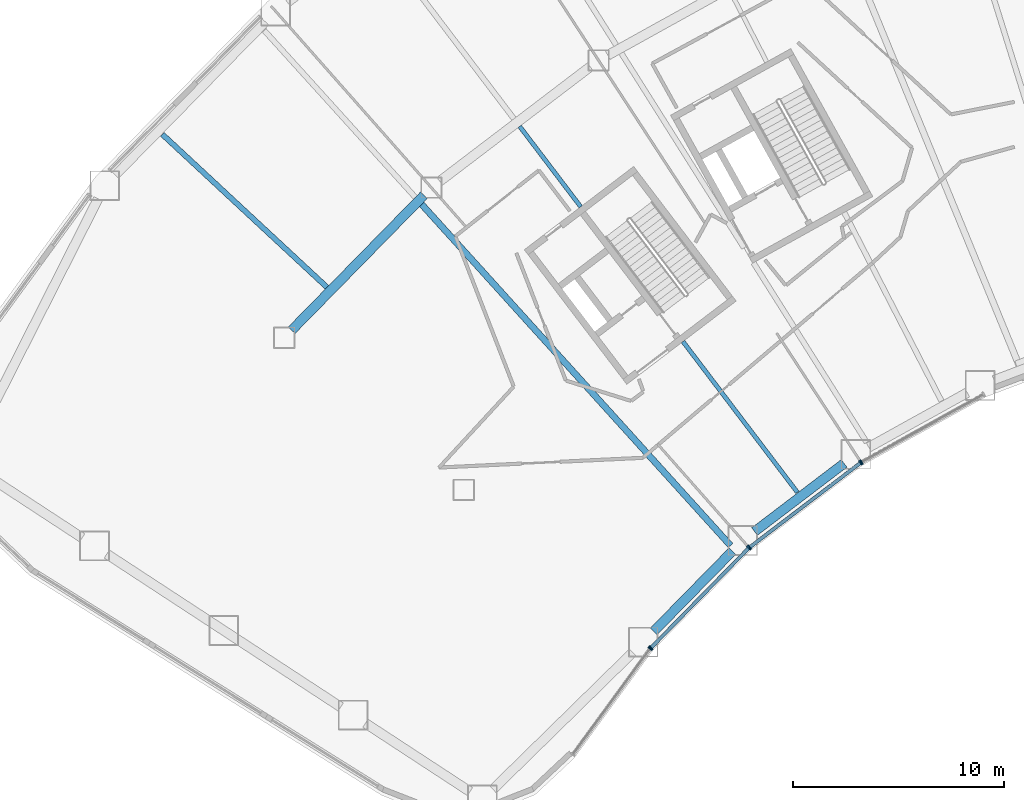
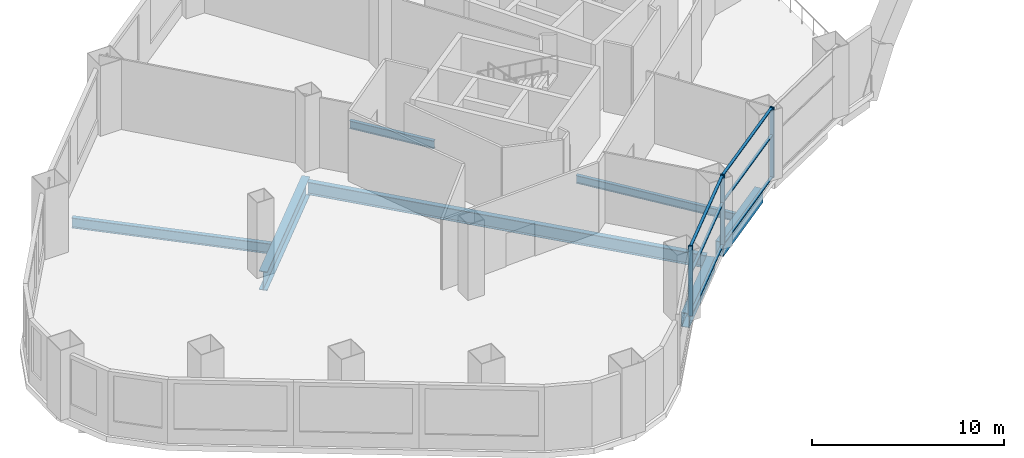
# One storey, part 4 of 20: 12 members, 7 beams, 4 elements without a shape of their own.
"""IFC4 building model written with IfcOpenShell, lengths in metres."""

from ifc_helpers import new_model, si_unit, direction, frame, origin, origin_2d, place, context, subcontext, project, spatial, rectangle, hollow_rectangle, i_section, extrude, material, layer, layer_set, material_profile, profile_set, type_object, element, aggregate, save


model = new_model("IFC4")

# Units and contexts
model_context = context("Model", 3, precision=1e-05, world=origin(), true_north=direction((0.0, 1.0)))
body_context = subcontext(model_context, "Body", "Model", "MODEL_VIEW")
ifc_project = project(units=[si_unit("LENGTHUNIT", "METRE"), si_unit("AREAUNIT", "SQUARE_METRE"), si_unit("VOLUMEUNIT", "CUBIC_METRE"), si_unit("PLANEANGLEUNIT", "RADIAN"), si_unit("MASSUNIT", "GRAM", prefix="KILO")], contexts=[model_context])

# Site, building, storey
site_placement = place(None, origin())
site = spatial("IfcSite", under=ifc_project, at=site_placement, CompositionType="ELEMENT")
building_placement = place(site_placement, origin())
building = spatial("IfcBuilding", under=site, at=building_placement, Name="Tuul Gate Civic Tower", CompositionType="ELEMENT")
storey_placement = place(building_placement, frame((0.0, 0.0, 12.300048828125)))
storey = spatial("IfcBuildingStorey", under=building, at=storey_placement, Name="Level 02", CompositionType="ELEMENT", Elevation=12.300048828125)

# Curtain wall, member
ifc_material_1 = material(Name="Aluminium", Category="aluminium")
ifc_layer = layer(ifc_material_1, 0.199951171875)
ifc_layer_set = layer_set([ifc_layer], Name="Aluminium")
curtain_wall_type = type_object("IfcCurtainWallType", Name="Curtain wall CW6", PredefinedType="NOTDEFINED", material=ifc_layer_set)
curtain_wall_1_placement = place(storey_placement, origin())
curtain_wall_1 = element("IfcCurtainWall", 1, at=curtain_wall_1_placement, inside=storey, type_object=curtain_wall_type, Name="Curtain wall CW6", PredefinedType="NOTDEFINED")
ifc_material_2 = material(Name="Aluminium", Category="aluminium")
ifc_material_profile_1 = material_profile(ifc_material_2, rectangle(XDim=0.239990234375, YDim=0.06005859375, at=origin_2d()), Name="CW6 mullion")
ifc_profile_set_1 = profile_set([ifc_material_profile_1], Name="Aluminium")
member_type_1 = type_object("IfcMemberType", Name="CW6 mullion", PredefinedType="MULLION", material=ifc_profile_set_1)
member_1_placement = place(storey_placement, frame((-35.165771484375, -30.231201171875, 0.0), z_axis=(0.0, 0.0, 1.0), x_axis=(-0.807581267597, 0.589756302404, 0.0)))
member_1 = element("IfcMember", 2, at=member_1_placement, type_object=member_type_1, Name="Mullion", PredefinedType="MULLION", context=body_context, shape_type="SweptSolid", body=[
    extrude(rectangle(XDim=0.239990234375, YDim=0.06005859375, at=origin_2d()), origin(), (0.0, 0.0, 1.0), 4.449951171875),
])
aggregate(curtain_wall_1, [member_1])

# Curtain wall, members
curtain_wall_2_placement = place(storey_placement, origin())
curtain_wall_2 = element("IfcCurtainWall", 3, at=curtain_wall_2_placement, inside=storey, type_object=curtain_wall_type, Name="Curtain wall CW6", PredefinedType="NOTDEFINED")
member_2_placement = place(storey_placement, frame((-35.126953125, -30.185546875, 0.0), z_axis=(0.0, 0.0, 1.0), x_axis=(-0.714131733701, 0.700011333423, 0.0)))
member_2 = element("IfcMember", 4, at=member_2_placement, type_object=member_type_1, Name="Mullion", PredefinedType="MULLION", context=body_context, shape_type="SweptSolid", body=[
    extrude(rectangle(XDim=0.239990234375, YDim=0.06005859375, at=origin_2d()), origin(), (0.0, 0.0, 1.0), 4.449951171875),
])
member_3_placement = place(storey_placement, frame((-30.509033203125, -25.474365234375, 0.0), z_axis=(0.0, 0.0, 1.0), x_axis=(-0.714131733701, 0.700011333423, 0.0)))
member_3 = element("IfcMember", 5, at=member_3_placement, type_object=member_type_1, Name="Mullion", PredefinedType="MULLION", context=body_context, shape_type="SweptSolid", body=[
    extrude(rectangle(XDim=0.239990234375, YDim=0.06005859375, at=origin_2d()), origin(), (0.0, 0.0, 1.0), 4.449951171875),
])

curtain_wall_3_placement = place(storey_placement, origin())
curtain_wall_3 = element("IfcCurtainWall", 6, at=curtain_wall_3_placement, inside=storey, type_object=curtain_wall_type, Name="Curtain wall CW6", PredefinedType="NOTDEFINED")
member_4_placement = place(storey_placement, frame((-30.464111328125, -25.434814453125, 0.0), z_axis=(0.0, 0.0, 1.0), x_axis=(-0.605776174218, 0.795635109048, 0.0)))
member_4 = element("IfcMember", 7, at=member_4_placement, type_object=member_type_1, Name="Mullion", PredefinedType="MULLION", context=body_context, shape_type="SweptSolid", body=[
    extrude(rectangle(XDim=0.239990234375, YDim=0.06005859375, at=origin_2d()), origin(), (0.0, 0.0, 1.0), 4.449951171875),
])
member_5_placement = place(storey_placement, frame((-25.21484375, -21.438232421875, 0.0), z_axis=(0.0, 0.0, 1.0), x_axis=(-0.605776174218, 0.795635109048, 0.0)))
member_5 = element("IfcMember", 8, at=member_5_placement, type_object=member_type_1, Name="Mullion", PredefinedType="MULLION", context=body_context, shape_type="SweptSolid", body=[
    extrude(rectangle(XDim=0.239990234375, YDim=0.06005859375, at=origin_2d()), origin(), (0.0, 0.0, 1.0), 4.449951171875),
])

# Curtain wall, member
curtain_wall_4_placement = place(storey_placement, origin())
curtain_wall_4 = element("IfcCurtainWall", 9, at=curtain_wall_4_placement, inside=storey, type_object=curtain_wall_type, Name="Curtain wall CW6", PredefinedType="NOTDEFINED")
member_6_placement = place(storey_placement, frame((-25.164794921875, -21.405517578125, 0.0), z_axis=(0.0, 0.0, 1.0), x_axis=(-0.484724404523, 0.87466693756, 0.0)))
member_6 = element("IfcMember", 10, at=member_6_placement, type_object=member_type_1, Name="Mullion", PredefinedType="MULLION", context=body_context, shape_type="SweptSolid", body=[
    extrude(rectangle(XDim=0.239990234375, YDim=0.06005859375, at=origin_2d()), origin(), (0.0, 0.0, 1.0), 4.449951171875),
])
aggregate(curtain_wall_4, [member_6])

# Member
ifc_material_3 = material(Name="Aluminium", Category="aluminium")
ifc_material_profile_2 = material_profile(ifc_material_3, rectangle(XDim=0.159912109375, YDim=0.06005859375, at=origin_2d()), Name="CW6 transom")
ifc_profile_set_2 = profile_set([ifc_material_profile_2], Name="Aluminium")
member_type_2 = type_object("IfcMemberType", Name="CW6 transom", PredefinedType="USERDEFINED", material=ifc_profile_set_2)
member_7_placement = place(storey_placement, frame((-35.10595703125, -30.1640625, 0.030029296875), z_axis=(0.700012783767, 0.714130312032, 0.0), x_axis=(-0.714130312032, 0.700012783767, 0.0)))
member_7 = element("IfcMember", 11, at=member_7_placement, type_object=member_type_2, Name="Transom", ObjectType="TRANSOM", PredefinedType="USERDEFINED", context=body_context, shape_type="SweptSolid", body=[
    extrude(rectangle(XDim=0.159912109375, YDim=0.06005859375, at=origin_2d()), origin(), (0.0, 0.0, 1.0), 6.536865234375),
])

member_8_placement = place(storey_placement, frame((-35.10595703125, -30.1640625, 2.699951171875), z_axis=(0.700012783767, 0.714130312032, 0.0), x_axis=(-0.714130312032, 0.700012783767, 0.0)))
member_8 = element("IfcMember", 12, at=member_8_placement, type_object=member_type_2, Name="Transom", ObjectType="TRANSOM", PredefinedType="USERDEFINED", context=body_context, shape_type="SweptSolid", body=[
    extrude(rectangle(XDim=0.159912109375, YDim=0.06005859375, at=origin_2d()), origin(), (0.0, 0.0, 1.0), 6.536865234375),
])

member_9_placement = place(storey_placement, frame((-35.10595703125, -30.1640625, 4.419921875), z_axis=(0.700012783767, 0.714130312032, 0.0), x_axis=(-0.714130312032, 0.700012783767, 0.0)))
member_9 = element("IfcMember", 13, at=member_9_placement, type_object=member_type_2, Name="Transom", ObjectType="TRANSOM", PredefinedType="USERDEFINED", context=body_context, shape_type="SweptSolid", body=[
    extrude(rectangle(XDim=0.159912109375, YDim=0.06005859375, at=origin_2d()), origin(), (0.0, 0.0, 1.0), 6.536865234375),
])

aggregate(curtain_wall_2, [member_2, member_3, member_7, member_8, member_9])

member_10_placement = place(storey_placement, frame((-30.440185546875, -25.416748046875, 0.030029296875), z_axis=(0.79561856404, 0.605797904053, 0.0), x_axis=(-0.605797904053, 0.79561856404, 0.0)))
member_10 = element("IfcMember", 14, at=member_10_placement, type_object=member_type_2, Name="Transom", ObjectType="TRANSOM", PredefinedType="USERDEFINED", context=body_context, shape_type="SweptSolid", body=[
    extrude(rectangle(XDim=0.159912109375, YDim=0.06005859375, at=origin_2d()), origin(), (0.0, 0.0, 1.0), 6.53759765625),
])

member_11_placement = place(storey_placement, frame((-30.440185546875, -25.416748046875, 2.699951171875), z_axis=(0.79561856404, 0.605797904053, 0.0), x_axis=(-0.605797904053, 0.79561856404, 0.0)))
member_11 = element("IfcMember", 15, at=member_11_placement, type_object=member_type_2, Name="Transom", ObjectType="TRANSOM", PredefinedType="USERDEFINED", context=body_context, shape_type="SweptSolid", body=[
    extrude(rectangle(XDim=0.159912109375, YDim=0.06005859375, at=origin_2d()), origin(), (0.0, 0.0, 1.0), 6.53759765625),
])

member_12_placement = place(storey_placement, frame((-30.440185546875, -25.416748046875, 4.419921875), z_axis=(0.79561856404, 0.605797904053, 0.0), x_axis=(-0.605797904053, 0.79561856404, 0.0)))
member_12 = element("IfcMember", 16, at=member_12_placement, type_object=member_type_2, Name="Transom", ObjectType="TRANSOM", PredefinedType="USERDEFINED", context=body_context, shape_type="SweptSolid", body=[
    extrude(rectangle(XDim=0.159912109375, YDim=0.06005859375, at=origin_2d()), origin(), (0.0, 0.0, 1.0), 6.53759765625),
])

aggregate(curtain_wall_3, [member_4, member_5, member_10, member_11, member_12])

# Beams
ifc_material_4 = material(Name="Steel S355", Category="steel")
ifc_material_profile_3 = material_profile(ifc_material_4, i_section(OverallWidth=0.199951171875, OverallDepth=0.5, WebThickness=0.010009765625, FlangeThickness=0.01611328125, at=origin_2d()), Name="PG500x200x10x16")
ifc_profile_set_3 = profile_set([ifc_material_profile_3], Name="Steel S355")
beam_type_1 = type_object("IfcBeamType", Name="STR-FLOOR BEAM-PG500x200x10x16", PredefinedType="BEAM", material=ifc_profile_set_3)
beam_1_placement = place(storey_placement, frame((-28.20361328125, -22.83447265625, -0.60009765625), z_axis=(-0.604507057629, 0.796599784884, 0.0), x_axis=(-0.796599784884, -0.604507057629, 0.0)))
element("IfcBeam", 17, at=beam_1_placement, inside=storey, type_object=beam_type_1, Name="Floor beam", PredefinedType="BEAM", context=body_context, shape_type="SweptSolid", body=[
    extrude(i_section(OverallWidth=0.199951171875, OverallDepth=0.5, WebThickness=0.010009765625, FlangeThickness=0.01611328125, at=origin_2d()), origin(), (0.0, 0.0, 1.0), 8.951416015625),
])
beam_2_placement = place(storey_placement, frame((-38.45068359375, -9.3310546875, -0.60009765625), z_axis=(-0.604539816506, 0.796574924448, 0.0), x_axis=(-0.796574924448, -0.604539816506, 0.0)))
element("IfcBeam", 18, at=beam_2_placement, inside=storey, type_object=beam_type_1, Name="Floor beam", PredefinedType="BEAM", context=body_context, shape_type="SweptSolid", body=[
    extrude(i_section(OverallWidth=0.199951171875, OverallDepth=0.5, WebThickness=0.010009765625, FlangeThickness=0.01611328125, at=origin_2d()), origin(), (0.0, 0.0, 1.0), 4.77392578125),
])
ifc_material_5 = material(Name="Steel S355", Category="steel")
ifc_material_profile_4 = material_profile(ifc_material_5, i_section(OverallWidth=0.25, OverallDepth=0.64990234375, WebThickness=0.011962890625, FlangeThickness=0.02001953125, at=origin_2d()), Name="PG650x250x12x20")
ifc_profile_set_4 = profile_set([ifc_material_profile_4], Name="Steel S355")
beam_type_2 = type_object("IfcBeamType", Name="STR-FLOOR BEAM-PG650x250x12x20", PredefinedType="BEAM", material=ifc_profile_set_4)
beam_3_placement = place(storey_placement, frame((-50.448974609375, -13.139404296875, -0.675048828125), z_axis=(-0.732685493637, 0.680567386387, 0.0), x_axis=(-0.680567386387, -0.732685493637, 0.0)))
element("IfcBeam", 19, at=beam_3_placement, inside=storey, type_object=beam_type_2, Name="Floor beam", PredefinedType="BEAM", context=body_context, shape_type="SweptSolid", body=[
    extrude(i_section(OverallWidth=0.25, OverallDepth=0.64990234375, WebThickness=0.011962890625, FlangeThickness=0.02001953125, at=origin_2d()), origin(), (0.0, 0.0, 1.0), 10.62890625),
])
ifc_material_6 = material(Name="Steel S355", Category="steel")
ifc_material_profile_5 = material_profile(ifc_material_6, i_section(OverallWidth=0.300048828125, OverallDepth=0.800048828125, WebThickness=0.013916015625, FlangeThickness=0.02490234375, at=origin_2d()), Name="PG800x300x14x25")
ifc_profile_set_5 = profile_set([ifc_material_profile_5], Name="Steel S355")
beam_type_3 = type_object("IfcBeamType", Name="STR-FLOOR BEAM-PG800x300x14x25", PredefinedType="BEAM", material=ifc_profile_set_5)
beam_4_placement = place(storey_placement, frame((-31.366455078125, -25.35009765625, -0.75), z_axis=(-0.671111274621, 0.741356632854, 0.0), x_axis=(-0.741356632854, -0.671111274621, 0.0)))
element("IfcBeam", 20, at=beam_4_placement, inside=storey, type_object=beam_type_3, Name="Floor beam", PredefinedType="BEAM", context=body_context, shape_type="SweptSolid", body=[
    extrude(i_section(OverallWidth=0.300048828125, OverallDepth=0.800048828125, WebThickness=0.013916015625, FlangeThickness=0.02490234375, at=origin_2d()), origin(), (0.0, 0.0, 1.0), 21.763916015625),
])
ifc_material_7 = material(Name="Steel S355", Category="steel")
ifc_material_profile_6 = material_profile(ifc_material_7, i_section(OverallWidth=0.449951171875, OverallDepth=1.199951171875, WebThickness=0.02001953125, FlangeThickness=0.0400390625, at=origin_2d()), Name="PG1200x450x20x40")
ifc_profile_set_6 = profile_set([ifc_material_profile_6], Name="Steel S355")
beam_type_4 = type_object("IfcBeamType", Name="STR-RING BEAM-PG1200x450x20x40", PredefinedType="BEAM", material=ifc_profile_set_6)
beam_5_placement = place(storey_placement, frame((-52.121337890625, -15.1669921875, -0.949951171875), z_axis=(0.700011333418, 0.714131733706, 0.0), x_axis=(-0.714131733706, 0.700011333418, 0.0)))
element("IfcBeam", 21, at=beam_5_placement, inside=storey, type_object=beam_type_4, Name="Ring girder", PredefinedType="BEAM", context=body_context, shape_type="SweptSolid", body=[
    extrude(i_section(OverallWidth=0.449951171875, OverallDepth=1.199951171875, WebThickness=0.02001953125, FlangeThickness=0.0400390625, at=origin_2d()), origin(), (0.0, 0.0, 1.0), 8.93896484375),
])
ifc_material_8 = material(Name="Steel S355", Category="steel")
ifc_material_profile_7 = material_profile(ifc_material_8, hollow_rectangle(XDim=0.449951171875, YDim=0.89990234375, WallThickness=0.02490234375, at=origin_2d()), Name="BOX900x450x25")
ifc_profile_set_7 = profile_set([ifc_material_profile_7], Name="Steel S355")
beam_type_5 = type_object("IfcBeamType", Name="STR-SPANDREL BEAM-BOX900x450x25", PredefinedType="BEAM", material=ifc_profile_set_7)
beam_6_placement = place(storey_placement, frame((-35.001953125, -29.416015625, -0.800048828125), z_axis=(0.700007662648, 0.714135331876, 0.0), x_axis=(-0.714135331876, 0.700007662648, 0.0)))
element("IfcBeam", 22, at=beam_6_placement, inside=storey, type_object=beam_type_5, Name="Spandrel beam", PredefinedType="BEAM", context=body_context, shape_type="SweptSolid", body=[
    extrude(hollow_rectangle(XDim=0.449951171875, YDim=0.89990234375, WallThickness=0.02490234375, at=origin_2d()), origin(), (0.0, 0.0, 1.0), 5.322509765625),
])
beam_7_placement = place(storey_placement, frame((-30.22900390625, -24.69091796875, -0.800048828125), z_axis=(0.795624397763, 0.605790242315, 0.0), x_axis=(-0.605790242315, 0.795624397763, 0.0)))
element("IfcBeam", 23, at=beam_7_placement, inside=storey, type_object=beam_type_5, Name="Spandrel beam", PredefinedType="BEAM", context=body_context, shape_type="SweptSolid", body=[
    extrude(hollow_rectangle(XDim=0.449951171875, YDim=0.89990234375, WallThickness=0.02490234375, at=origin_2d()), origin(), (0.0, 0.0, 1.0), 5.32177734375),
])

save(model, "model.ifc")
